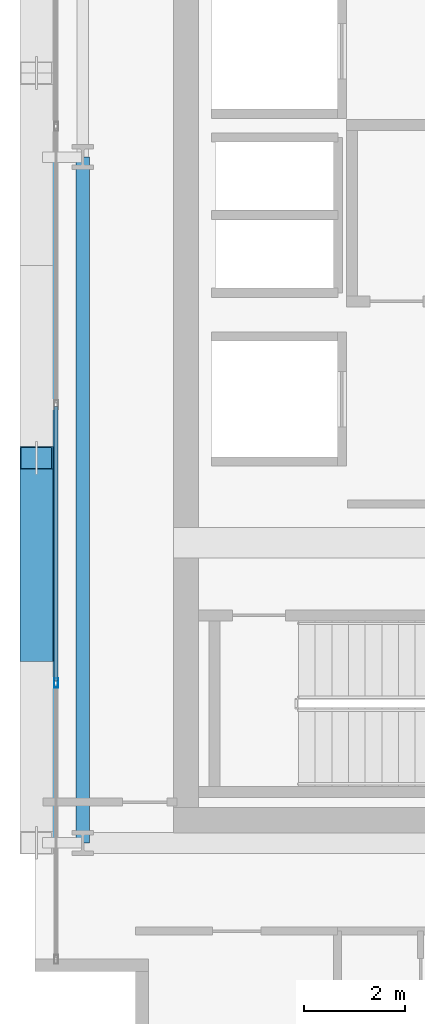
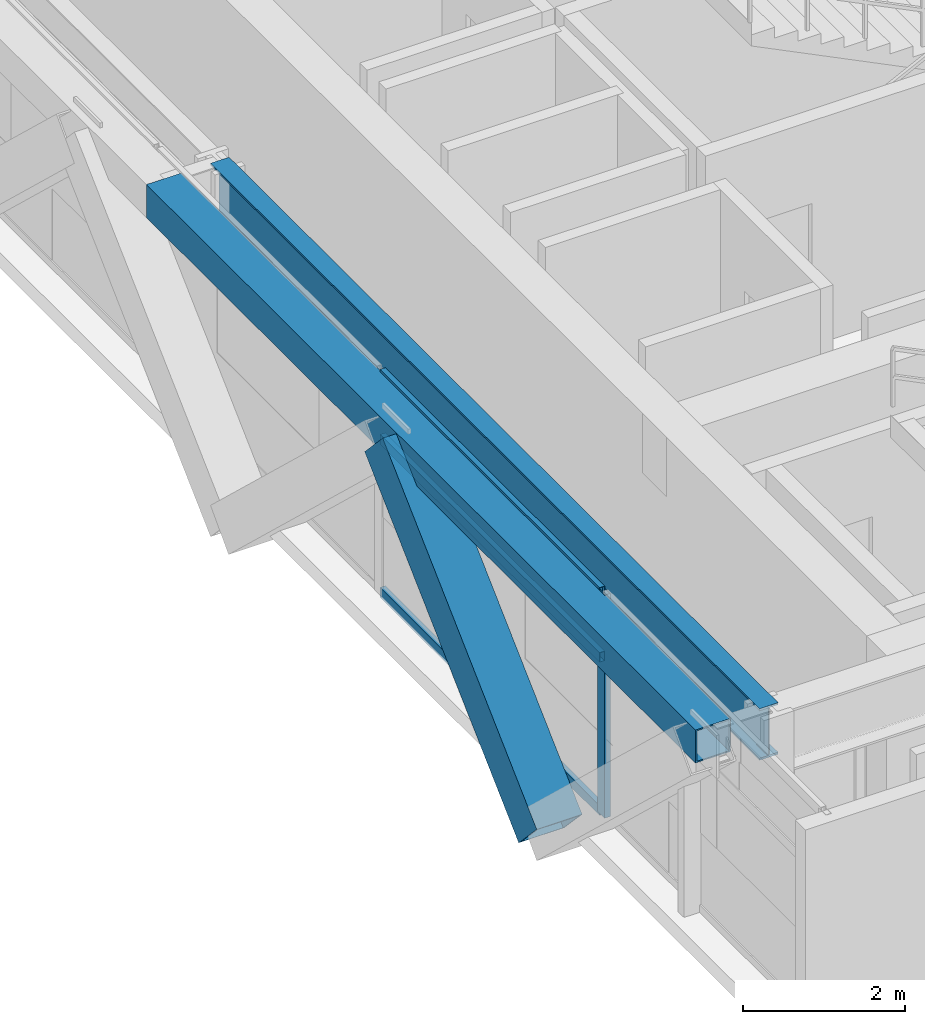
# One storey, part 4 of 37: 5 members, 2 beams, 1 element without a shape of its own.
"""IFC4 building model written with IfcOpenShell, lengths in metres."""

from ifc_helpers import new_model, si_unit, direction, frame, origin, origin_2d, place, context, subcontext, project, spatial, hollow_rectangle, i_section, extrude, source, transform, mapped, material, layer, layer_set, material_profile, profile_set, type_object, element, aggregate, save


model = new_model("IFC4")

# Units and contexts
model_context = context("Model", 3, precision=1e-05, world=origin(), true_north=direction((0.0, 1.0)))
body_context = subcontext(model_context, "Body", "Model", "MODEL_VIEW")
ifc_project = project(units=[si_unit("LENGTHUNIT", "METRE"), si_unit("AREAUNIT", "SQUARE_METRE"), si_unit("VOLUMEUNIT", "CUBIC_METRE"), si_unit("PLANEANGLEUNIT", "RADIAN"), si_unit("MASSUNIT", "GRAM", prefix="KILO")], contexts=[model_context])

# Site, building, storey
site_placement = place(None, origin())
site = spatial("IfcSite", under=ifc_project, at=site_placement, CompositionType="ELEMENT")
building_placement = place(site_placement, origin())
building = spatial("IfcBuilding", under=site, at=building_placement, Name="Ocotamira Hotel", CompositionType="ELEMENT")
storey_placement = place(building_placement, frame((0.0, 0.0, 192.0)))
storey = spatial("IfcBuildingStorey", under=building, at=storey_placement, Name="L48", CompositionType="ELEMENT", Elevation=192.0)

# Beams
ifc_material_1 = material(Name="Steel ASTM A992 Grade 50", Category="steel")
ifc_material_profile_1 = material_profile(ifc_material_1, i_section(OverallWidth=0.26611328125, OverallDepth=0.779052734375, WebThickness=0.0166015625, FlangeThickness=0.030029296875, FilletRadius=0.01806640625, at=origin_2d()), Name="W30X148")
ifc_profile_set_1 = profile_set([ifc_material_profile_1], Name="Steel ASTM A992 Grade 50")
beam_type_1 = type_object("IfcBeamType", Name="BM-GIRD-W30X148", PredefinedType="BEAM", material=ifc_profile_set_1)
shared_shape_1 = source(origin(), body_context, "Body", "SweptSolid", [
    extrude(i_section(OverallWidth=0.26611328125, OverallDepth=0.779052734375, WebThickness=0.0166015625, FlangeThickness=0.030029296875, FilletRadius=0.01806640625, at=origin_2d()), origin(), (0.0, 0.0, 1.0), 13.599853515625),
])
beam_1_placement = place(storey_placement, frame((8.949951171875, 14.550048828125, 2.98046875), z_axis=(0.0, 1.0, 0.0), x_axis=(-1.0, 0.0, 0.0)))
element("IfcBeam", 1, at=beam_1_placement, inside=storey, type_object=beam_type_1, Name="L48 Beam X8.95 Y14.55-28.15", PredefinedType="BEAM", context=body_context, shape_type="MappedRepresentation", body=[
    mapped(shared_shape_1, transform((0.0, 0.0, 0.0), scale=1.0)),
])
ifc_material_2 = material(Name="Steel ASTM A500 Grade C", Category="steel")
ifc_material_profile_2 = material_profile(ifc_material_2, hollow_rectangle(XDim=0.5, YDim=0.5, WallThickness=0.02001953125, at=origin_2d()), Name="HSS500X500X20")
ifc_profile_set_2 = profile_set([ifc_material_profile_2], Name="Steel ASTM A500 Grade C")
beam_type_2 = type_object("IfcBeamType", Name="BM-SPAN-HSS500", PredefinedType="USERDEFINED", material=ifc_profile_set_2)
shared_shape_2 = source(origin(), body_context, "Body", "SweptSolid", [
    extrude(hollow_rectangle(XDim=0.5, YDim=0.5, WallThickness=0.02001953125, at=origin_2d()), origin(), (0.0, 0.0, 1.0), 13.599853515625),
])
beam_2_placement = place(storey_placement, frame((8.14990234375, 14.550048828125, 3.1201171875), z_axis=(0.0, 1.0, 0.0), x_axis=(-1.0, 0.0, 0.0)))
element("IfcBeam", 2, at=beam_2_placement, inside=storey, type_object=beam_type_2, Name="L48 Edge Spandrel W Y14.55-28.15", ObjectType="SPANDREL", PredefinedType="USERDEFINED", context=body_context, shape_type="MappedRepresentation", body=[
    mapped(shared_shape_2, transform((0.0, 0.0, 0.0), scale=1.0)),
])

# Member
ifc_material_3 = material(Name="Pale-metal coated steel ASTM A913 Grade 65", Category="steel")
ifc_material_profile_3 = material_profile(ifc_material_3, hollow_rectangle(XDim=0.64990234375, YDim=0.64990234375, WallThickness=0.02197265625, at=origin_2d()), Name="BOX650X650X22")
ifc_profile_set_3 = profile_set([ifc_material_profile_3], Name="Pale-metal coated steel ASTM A913 Grade 65")
member_type_1 = type_object("IfcMemberType", Name="MEM-EXO-BOX650", PredefinedType="BRACE", material=ifc_profile_set_3)
shared_shape_3 = source(origin(), body_context, "Body", "SweptSolid", [
    extrude(hollow_rectangle(XDim=0.64990234375, YDim=0.64990234375, WallThickness=0.02197265625, at=origin_2d()), origin(), (0.0, 0.0, 1.0), 5.24658203125),
])
member_1_placement = place(storey_placement, frame((8.030029296875, 18.36669921875, -0.47998046875), z_axis=(0.0, 0.727442733726, 0.686168397078), x_axis=(-1.0, 0.0, 0.0)))
element("IfcMember", 3, at=member_1_placement, inside=storey, type_object=member_type_1, Name="L48 Exoskeleton Diagrid W0.2", PredefinedType="BRACE", context=body_context, shape_type="MappedRepresentation", body=[
    mapped(shared_shape_3, transform((0.0, 0.0, 0.0), scale=1.0)),
])

# Curtain wall, members
ifc_material_4 = material(Name="Anodised pale-metal aluminium and solar glass", Category="aluminium")
ifc_layer = layer(ifc_material_4, 0.199951171875)
ifc_layer_set = layer_set([ifc_layer], Name="Anodised pale-metal aluminium and solar glass")
curtain_wall_type = type_object("IfcCurtainWallType", Name="CW-SYS4-Z3", PredefinedType="NOTDEFINED", material=ifc_layer_set)
curtain_wall_placement = place(storey_placement, origin())
curtain_wall = element("IfcCurtainWall", 4, at=curtain_wall_placement, inside=storey, type_object=curtain_wall_type, Name="L48 Curtain Wall CW-4 CW-L48-W", PredefinedType="NOTDEFINED")
ifc_material_5 = material(Name="Anodised pale-metal aluminium 6063-T6", Category="aluminium")
ifc_material_profile_4 = material_profile(ifc_material_5, hollow_rectangle(XDim=0.080078125, YDim=0.179931640625, WallThickness=0.006103515625, at=origin_2d()), Name="HSS180X80X6")
ifc_profile_set_4 = profile_set([ifc_material_profile_4], Name="Anodised pale-metal aluminium 6063-T6")
member_type_2 = type_object("IfcMemberType", Name="CWM-180X75", PredefinedType="MULLION", material=ifc_profile_set_4)
shared_shape_4 = source(origin(), body_context, "Body", "SweptSolid", [
    extrude(hollow_rectangle(XDim=0.080078125, YDim=0.179931640625, WallThickness=0.006103515625, at=origin_2d()), origin(), (0.0, 0.0, 1.0), 3.3701171875),
])
member_2_placement = place(storey_placement, frame((8.419921875, 17.719970703125, 0.0), z_axis=(0.0, 0.0, 1.0), x_axis=(-1.0, 0.0, 0.0)))
member_2 = element("IfcMember", 5, at=member_2_placement, type_object=member_type_2, Name="CW-4 mullion 2", PredefinedType="MULLION", context=body_context, shape_type="MappedRepresentation", body=[
    mapped(shared_shape_4, transform((0.0, 0.0, 0.0), scale=1.0)),
])
ifc_material_profile_5 = material_profile(ifc_material_5, hollow_rectangle(XDim=0.074951171875, YDim=0.14990234375, WallThickness=0.006103515625, at=origin_2d()), Name="HSS150X75X6")
ifc_profile_set_5 = profile_set([ifc_material_profile_5], Name="Anodised pale-metal aluminium 6063-T6")
member_type_3 = type_object("IfcMemberType", Name="CWT-150X75", PredefinedType="USERDEFINED", material=ifc_profile_set_5)
shared_shape_5 = source(origin(), body_context, "Body", "SweptSolid", [
    extrude(hollow_rectangle(XDim=0.074951171875, YDim=0.14990234375, WallThickness=0.006103515625, at=origin_2d()), origin(), (0.0, 0.0, 1.0), 5.43994140625),
])
member_3_placement = place(storey_placement, frame((8.419921875, 17.760009765625, 0.03759765625), z_axis=(0.0, 1.0, 0.0), x_axis=(-1.0, 0.0, 0.0)))
member_3 = element("IfcMember", 6, at=member_3_placement, type_object=member_type_3, Name="CW-4 transom 2.1", ObjectType="TRANSOM", PredefinedType="USERDEFINED", context=body_context, shape_type="MappedRepresentation", body=[
    mapped(shared_shape_5, transform((0.0, 0.0, 0.0), scale=1.0)),
])
member_4_placement = place(storey_placement, frame((8.419921875, 17.760009765625, 2.35009765625), z_axis=(0.0, 1.0, 0.0), x_axis=(-1.0, 0.0, 0.0)))
member_4 = element("IfcMember", 7, at=member_4_placement, type_object=member_type_3, Name="CW-4 transom 2.2", ObjectType="TRANSOM", PredefinedType="USERDEFINED", context=body_context, shape_type="MappedRepresentation", body=[
    mapped(shared_shape_5, transform((0.0, 0.0, 0.0), scale=1.0)),
])
member_5_placement = place(storey_placement, frame((8.419921875, 17.760009765625, 3.33251953125), z_axis=(0.0, 1.0, 0.0), x_axis=(-1.0, 0.0, 0.0)))
member_5 = element("IfcMember", 8, at=member_5_placement, type_object=member_type_3, Name="CW-4 transom 2.3", ObjectType="TRANSOM", PredefinedType="USERDEFINED", context=body_context, shape_type="MappedRepresentation", body=[
    mapped(shared_shape_5, transform((0.0, 0.0, 0.0), scale=1.0)),
])
aggregate(curtain_wall, [member_2, member_3, member_4, member_5])

save(model, "model.ifc")
